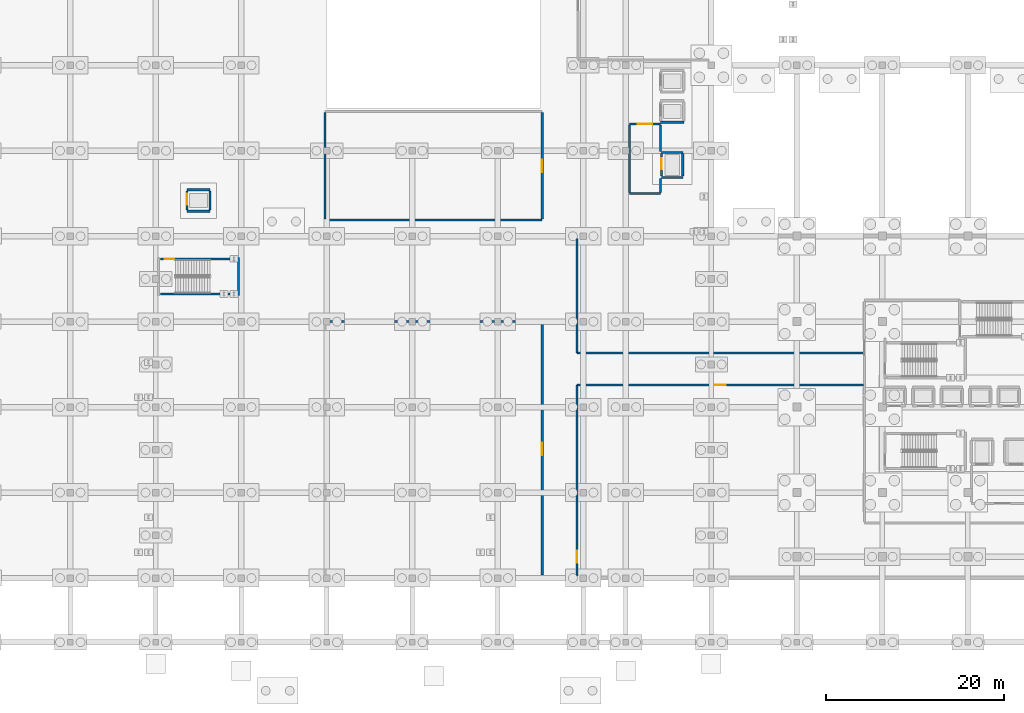
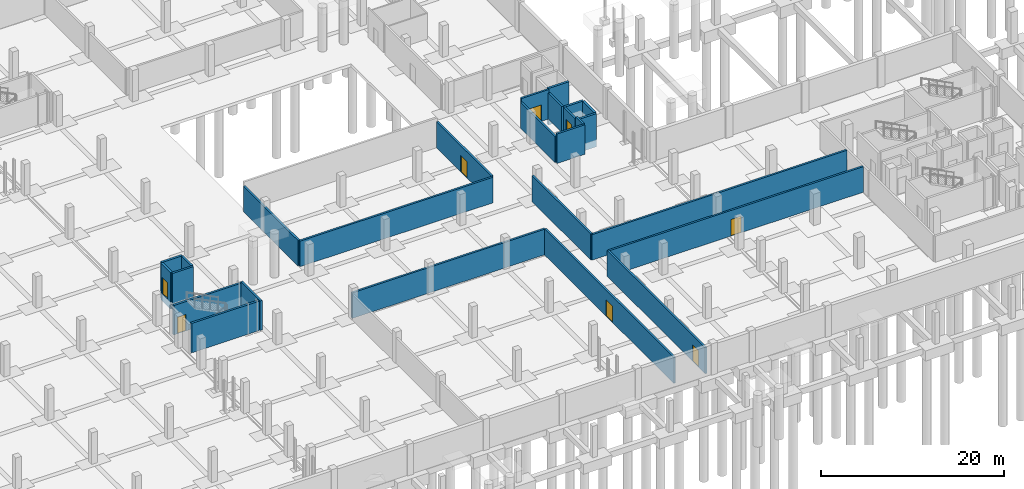
# One storey, part 38 of 54: 26 walls, 8 doors, 8 openings.
"""IFC4 building model written with IfcOpenShell, lengths in metres."""

from ifc_helpers import new_model, si_unit, direction, frame, frame_2d, origin, place, context, subcontext, project, spatial, rectangle, extrude, material, layer, layer_set, type_object, element, fill, save


model = new_model("IFC4")

# Units and contexts
model_context = context("Model", 3, precision=1e-05, world=origin(), true_north=direction((0.0, 1.0)))
body_context = subcontext(model_context, "Body", "Model", "MODEL_VIEW")
ifc_project = project(units=[si_unit("LENGTHUNIT", "METRE"), si_unit("AREAUNIT", "SQUARE_METRE"), si_unit("VOLUMEUNIT", "CUBIC_METRE"), si_unit("PLANEANGLEUNIT", "RADIAN"), si_unit("MASSUNIT", "GRAM", prefix="KILO")], contexts=[model_context])

# Site, building, storey
site_placement = place(None, origin())
site = spatial("IfcSite", under=ifc_project, at=site_placement, CompositionType="ELEMENT")
building_placement = place(site_placement, origin())
building = spatial("IfcBuilding", under=site, at=building_placement, Name="Zevrakil Square Congress Hotel", CompositionType="ELEMENT")
storey_placement = place(building_placement, frame((0.0, 0.0, -8.39990234375)))
storey = spatial("IfcBuildingStorey", under=building, at=storey_placement, Name="B2", CompositionType="ELEMENT", Elevation=-8.39990234375)

# Walls
ifc_material_1 = material(Name="Concrete C35/45", Category="concrete")
ifc_layer_1 = layer(ifc_material_1, 0.239990234375)
ifc_layer_set_1 = layer_set([ifc_layer_1], Name="Concrete C35/45")
wall_type_1 = type_object("IfcWallType", Name="WAL-COMP-240", PredefinedType="SOLIDWALL", material=ifc_layer_set_1)
wall_1_placement = place(storey_placement, frame((108.39990234375, 50.39990234375, 0.0), z_axis=(0.0, 0.0, 1.0), x_axis=(1.0, 0.0, 0.0)))
element("IfcWall", 1, at=wall_1_placement, inside=storey, type_object=wall_type_1, Name="B2 interior partition PW-B2-0011", PredefinedType="SOLIDWALL", context=body_context, shape_type="SweptSolid", body=[
    extrude(rectangle(XDim=3.5, YDim=0.239990234375, at=frame_2d((1.75, 0.0))), origin(), (0.0, 0.0, 1.0), 3.929931640625),
])
wall_2_placement = place(storey_placement, frame((108.39990234375, 50.52490234375, 0.0), z_axis=(0.0, 0.0, 1.0), x_axis=(0.0, 1.0, 0.0)))
element("IfcWall", 2, at=wall_2_placement, inside=storey, type_object=wall_type_1, Name="B2 interior partition PW-B2-0012", PredefinedType="SOLIDWALL", context=body_context, shape_type="SweptSolid", body=[
    extrude(rectangle(XDim=7.550048828125, YDim=0.239990234375, at=frame_2d((3.77490234375, 0.0))), origin(), (0.0, 0.0, 1.0), 3.474853515625),
])

# Wall, opening, door
wall_3_placement = place(storey_placement, frame((108.39990234375, 58.199951171875, 0.0), z_axis=(0.0, 0.0, 1.0), x_axis=(1.0, 0.0, 0.0)))
wall_3 = element("IfcWall", 3, at=wall_3_placement, inside=storey, type_object=wall_type_1, Name="B2 interior partition PW-B2-0013", PredefinedType="SOLIDWALL", context=body_context, shape_type="SweptSolid", body=[
    extrude(rectangle(XDim=3.5, YDim=0.239990234375, at=frame_2d((1.75, 0.0))), origin(), (0.0, 0.0, 1.0), 3.929931640625),
])
opening_1_placement = place(wall_3_placement, frame((0.949951171875, 0.0, 0.0)))
opening_1 = element("IfcOpeningElement", 4, at=opening_1_placement, cuts=wall_3, Name="Opening FD90-D", PredefinedType="OPENING", context=body_context, shape_type="SweptSolid", body=[
    extrude(rectangle(XDim=1.60009765625, YDim=2.199951171875, at=frame_2d((0.800048828125, 1.10009765625))), frame((0.0, 0.1298828125, 0.0), z_axis=(0.0, -1.0, 0.0), x_axis=(1.0, 0.0, 0.0)), (0.0, 0.0, 1.0), 0.260009765625),
])
ifc_material_2 = material(Name="Steel S355 Double Fire Door", Category="steel")
door_type_1 = type_object("IfcDoorType", Name="DOR-FFLOB-FD90-160", OperationType="NOTDEFINED", PredefinedType="DOOR", material=ifc_material_2)
door_1_placement = place(opening_1_placement, origin())
door_1 = element("IfcDoor", 5, at=door_1_placement, inside=storey, type_object=door_type_1, Name="B2 interior door 4", OperationType="DOUBLE_DOOR_SINGLE_SWING", OverallHeight=2.199951171875, OverallWidth=1.60009765625, PredefinedType="DOOR", context=body_context, shape_type="SweptSolid", body=[
    extrude(rectangle(XDim=1.60009765625, YDim=2.199951171875, at=frame_2d((0.800048828125, 1.10009765625))), frame((0.0, 0.02490234375, 0.0), z_axis=(0.0, -1.0, 0.0), x_axis=(1.0, 0.0, 0.0)), (0.0, 0.0, 1.0), 0.050048828125),
])
fill(opening_1, door_1)

# Walls
wall_4_placement = place(storey_placement, frame((111.89990234375, 50.52490234375, 0.0), z_axis=(0.0, 0.0, 1.0), x_axis=(0.0, 1.0, 0.0)))
element("IfcWall", 6, at=wall_4_placement, inside=storey, type_object=wall_type_1, Name="B2 interior partition PW-B2-0014", PredefinedType="SOLIDWALL", context=body_context, shape_type="SweptSolid", body=[
    extrude(rectangle(XDim=1.55517578125, YDim=0.239990234375, at=frame_2d((0.777587890625, 0.0))), origin(), (0.0, 0.0, 1.0), 3.929931640625),
])
wall_5_placement = place(storey_placement, frame((111.89990234375, 55.1201171875, 0.0), z_axis=(0.0, 0.0, 1.0), x_axis=(0.0, 1.0, 0.0)))
element("IfcWall", 7, at=wall_5_placement, inside=storey, type_object=wall_type_1, Name="B2 interior partition PW-B2-0015", PredefinedType="SOLIDWALL", context=body_context, shape_type="SweptSolid", body=[
    extrude(rectangle(XDim=2.954833984375, YDim=0.239990234375, at=frame_2d((1.4775390625, 0.0))), origin(), (0.0, 0.0, 1.0), 3.474853515625),
])
wall_6_placement = place(storey_placement, frame((74.199951171875, 36.0, 0.0), z_axis=(0.0, 0.0, 1.0), x_axis=(1.0, 0.0, 0.0)))
element("IfcWall", 8, at=wall_6_placement, inside=storey, type_object=wall_type_1, Name="B2 interior partition PW-B2-0085", PredefinedType="SOLIDWALL", context=body_context, shape_type="SweptSolid", body=[
    extrude(rectangle(XDim=24.400146484375, YDim=0.239990234375, at=frame_2d((12.2001953125, 0.0))), origin(), (0.0, 0.0, 1.0), 3.414794921875),
])

# Wall, opening, door
wall_7_placement = place(storey_placement, frame((98.60009765625, 7.574951171875, 0.0), z_axis=(0.0, 0.0, 1.0), x_axis=(0.0, 1.0, 0.0)))
wall_7 = element("IfcWall", 9, at=wall_7_placement, inside=storey, type_object=wall_type_1, Name="B2 interior partition PW-B2-0087", PredefinedType="SOLIDWALL", context=body_context, shape_type="SweptSolid", body=[
    extrude(rectangle(XDim=28.300048828125, YDim=0.239990234375, at=frame_2d((14.14990234375, 0.0))), origin(), (0.0, 0.0, 1.0), 3.474853515625),
])
opening_2_placement = place(wall_7_placement, frame((13.449951171875, 0.0, 0.0)))
opening_2 = element("IfcOpeningElement", 10, at=opening_2_placement, cuts=wall_7, Name="Opening ID-09", PredefinedType="OPENING", context=body_context, shape_type="SweptSolid", body=[
    extrude(rectangle(XDim=1.39990234375, YDim=2.199951171875, at=frame_2d((0.699951171875, 1.10009765625))), frame((0.0, 0.1298828125, 0.0), z_axis=(0.0, -1.0, 0.0), x_axis=(1.0, 0.0, 0.0)), (0.0, 0.0, 1.0), 0.260009765625),
])
ifc_material_3 = material(Name="Steel S355 Louvred Plant Fire Door", Category="steel")
door_type_2 = type_object("IfcDoorType", Name="DOR-PLANT-140", OperationType="NOTDEFINED", PredefinedType="DOOR", material=ifc_material_3)
door_2_placement = place(opening_2_placement, origin())
door_2 = element("IfcDoor", 11, at=door_2_placement, inside=storey, type_object=door_type_2, Name="B2 interior door 31", OperationType="SINGLE_SWING_LEFT", OverallHeight=2.199951171875, OverallWidth=1.39990234375, PredefinedType="DOOR", context=body_context, shape_type="SweptSolid", body=[
    extrude(rectangle(XDim=1.39990234375, YDim=2.199951171875, at=frame_2d((0.699951171875, 1.10009765625))), frame((0.0, 0.02490234375, 0.0), z_axis=(0.0, -1.0, 0.0), x_axis=(1.0, 0.0, 0.0)), (0.0, 0.0, 1.0), 0.050048828125),
])
fill(opening_2, door_2)

# Walls
wall_8_placement = place(storey_placement, frame((74.199951171875, 47.39990234375, 0.0), z_axis=(0.0, 0.0, 1.0), x_axis=(1.0, 0.0, 0.0)))
element("IfcWall", 12, at=wall_8_placement, inside=storey, type_object=wall_type_1, Name="B2 interior partition PW-B2-0088", PredefinedType="SOLIDWALL", context=body_context, shape_type="SweptSolid", body=[
    extrude(rectangle(XDim=24.400146484375, YDim=0.239990234375, at=frame_2d((12.2001953125, 0.0))), origin(), (0.0, 0.0, 1.0), 3.414794921875),
])
wall_9_placement = place(storey_placement, frame((74.199951171875, 47.52490234375, 0.0), z_axis=(0.0, 0.0, 1.0), x_axis=(0.0, 1.0, 0.0)))
element("IfcWall", 13, at=wall_9_placement, inside=storey, type_object=wall_type_1, Name="B2 interior partition PW-B2-0090", PredefinedType="SOLIDWALL", context=body_context, shape_type="SweptSolid", body=[
    extrude(rectangle(XDim=11.9501953125, YDim=0.239990234375, at=frame_2d((5.97509765625, 0.0))), origin(), (0.0, 0.0, 1.0), 3.414794921875),
])

# Wall, opening, door
wall_10_placement = place(storey_placement, frame((98.60009765625, 47.52490234375, 0.0), z_axis=(0.0, 0.0, 1.0), x_axis=(0.0, 1.0, 0.0)))
wall_10 = element("IfcWall", 14, at=wall_10_placement, inside=storey, type_object=wall_type_1, Name="B2 interior partition PW-B2-0091", PredefinedType="SOLIDWALL", context=body_context, shape_type="SweptSolid", body=[
    extrude(rectangle(XDim=11.9501953125, YDim=0.239990234375, at=frame_2d((5.97509765625, 0.0))), origin(), (0.0, 0.0, 1.0), 3.474853515625),
])
opening_3_placement = place(wall_10_placement, frame((5.27490234375, 0.0, 0.0)))
opening_3 = element("IfcOpeningElement", 15, at=opening_3_placement, cuts=wall_10, Name="Opening ID-09", PredefinedType="OPENING", context=body_context, shape_type="SweptSolid", body=[
    extrude(rectangle(XDim=1.39990234375, YDim=2.199951171875, at=frame_2d((0.699951171875, 1.10009765625))), frame((0.0, 0.1298828125, 0.0), z_axis=(0.0, -1.0, 0.0), x_axis=(1.0, 0.0, 0.0)), (0.0, 0.0, 1.0), 0.260009765625),
])
door_3_placement = place(opening_3_placement, origin())
door_3 = element("IfcDoor", 16, at=door_3_placement, inside=storey, type_object=door_type_2, Name="B2 interior door 32", OperationType="SINGLE_SWING_RIGHT", OverallHeight=2.199951171875, OverallWidth=1.39990234375, PredefinedType="DOOR", context=body_context, shape_type="SweptSolid", body=[
    extrude(rectangle(XDim=1.39990234375, YDim=2.199951171875, at=frame_2d((0.699951171875, 1.10009765625))), frame((0.0, 0.02490234375, 0.0), z_axis=(0.0, -1.0, 0.0), x_axis=(1.0, 0.0, 0.0)), (0.0, 0.0, 1.0), 0.050048828125),
])
fill(opening_3, door_3)

wall_11_placement = place(storey_placement, frame((102.5, 7.449951171875, 0.0), z_axis=(0.0, 0.0, 1.0), x_axis=(0.0, 1.0, 0.0)))
wall_11 = element("IfcWall", 17, at=wall_11_placement, inside=storey, type_object=wall_type_1, Name="B2 interior partition PW-B2-0097", PredefinedType="SOLIDWALL", context=body_context, shape_type="SweptSolid", body=[
    extrude(rectangle(XDim=21.449951171875, YDim=0.239990234375, at=frame_2d((10.72509765625, 0.0))), origin(), (0.0, 0.0, 1.0), 3.474853515625),
])
opening_4_placement = place(wall_11_placement, frame((1.5, 0.0, 0.0)))
opening_4 = element("IfcOpeningElement", 18, at=opening_4_placement, cuts=wall_11, Name="Opening ID-08", PredefinedType="OPENING", context=body_context, shape_type="SweptSolid", body=[
    extrude(rectangle(XDim=1.300048828125, YDim=2.199951171875, at=frame_2d((0.64990234375, 1.10009765625))), frame((0.0, 0.1298828125, 0.0), z_axis=(0.0, -1.0, 0.0), x_axis=(1.0, 0.0, 0.0)), (0.0, 0.0, 1.0), 0.260009765625),
])
ifc_material_4 = material(Name="Service Corridor Leaf-and-Half Door")
door_type_3 = type_object("IfcDoorType", Name="DOR-BOH-130", OperationType="NOTDEFINED", PredefinedType="DOOR", material=ifc_material_4)
door_4_placement = place(opening_4_placement, origin())
door_4 = element("IfcDoor", 19, at=door_4_placement, inside=storey, type_object=door_type_3, Name="B2 interior door 35", OperationType="SINGLE_SWING_LEFT", OverallHeight=2.199951171875, OverallWidth=1.300048828125, PredefinedType="DOOR", context=body_context, shape_type="SweptSolid", body=[
    extrude(rectangle(XDim=1.300048828125, YDim=2.199951171875, at=frame_2d((0.64990234375, 1.10009765625))), frame((0.0, 0.02490234375, 0.0), z_axis=(0.0, -1.0, 0.0), x_axis=(1.0, 0.0, 0.0)), (0.0, 0.0, 1.0), 0.050048828125),
])
fill(opening_4, door_4)

# Wall
wall_12_placement = place(storey_placement, frame((102.5, 32.5, 0.0), z_axis=(0.0, 0.0, 1.0), x_axis=(0.0, 1.0, 0.0)))
element("IfcWall", 20, at=wall_12_placement, inside=storey, type_object=wall_type_1, Name="B2 interior partition PW-B2-0098", PredefinedType="SOLIDWALL", context=body_context, shape_type="SweptSolid", body=[
    extrude(rectangle(XDim=12.85009765625, YDim=0.239990234375, at=frame_2d((6.425048828125, 0.0))), origin(), (0.0, 0.0, 1.0), 3.474853515625),
])

# Wall, opening, door
wall_13_placement = place(storey_placement, frame((102.5, 28.89990234375, 0.0), z_axis=(0.0, 0.0, 1.0), x_axis=(1.0, 0.0, 0.0)))
wall_13 = element("IfcWall", 21, at=wall_13_placement, inside=storey, type_object=wall_type_1, Name="B2 interior partition PW-B2-0099", PredefinedType="SOLIDWALL", context=body_context, shape_type="SweptSolid", body=[
    extrude(rectangle(XDim=32.175048828125, YDim=0.239990234375, at=frame_2d((16.08740234375, 0.0))), origin(), (0.0, 0.0, 1.0), 3.414794921875),
])
opening_5_placement = place(wall_13_placement, frame((15.4375, 0.0, 0.0)))
opening_5 = element("IfcOpeningElement", 22, at=opening_5_placement, cuts=wall_13, Name="Opening ID-08", PredefinedType="OPENING", context=body_context, shape_type="SweptSolid", body=[
    extrude(rectangle(XDim=1.300048828125, YDim=2.199951171875, at=frame_2d((0.64990234375, 1.10009765625))), frame((0.0, 0.1298828125, 0.0), z_axis=(0.0, -1.0, 0.0), x_axis=(1.0, 0.0, 0.0)), (0.0, 0.0, 1.0), 0.260009765625),
])
door_5_placement = place(opening_5_placement, origin())
door_5 = element("IfcDoor", 23, at=door_5_placement, inside=storey, type_object=door_type_3, Name="B2 interior door 36", OperationType="SINGLE_SWING_RIGHT", OverallHeight=2.199951171875, OverallWidth=1.300048828125, PredefinedType="DOOR", context=body_context, shape_type="SweptSolid", body=[
    extrude(rectangle(XDim=1.300048828125, YDim=2.199951171875, at=frame_2d((0.64990234375, 1.10009765625))), frame((0.0, 0.02490234375, 0.0), z_axis=(0.0, -1.0, 0.0), x_axis=(1.0, 0.0, 0.0)), (0.0, 0.0, 1.0), 0.050048828125),
])
fill(opening_5, door_5)

# Walls
wall_14_placement = place(storey_placement, frame((102.5, 32.5, 0.0), z_axis=(0.0, 0.0, 1.0), x_axis=(1.0, 0.0, 0.0)))
element("IfcWall", 24, at=wall_14_placement, inside=storey, type_object=wall_type_1, Name="B2 interior partition PW-B2-0100", PredefinedType="SOLIDWALL", context=body_context, shape_type="SweptSolid", body=[
    extrude(rectangle(XDim=32.175048828125, YDim=0.239990234375, at=frame_2d((16.08740234375, 0.0))), origin(), (0.0, 0.0, 1.0), 3.414794921875),
])
ifc_material_5 = material(Name="Concrete C40/50", Category="concrete")
ifc_layer_2 = layer(ifc_material_5, 0.260009765625)
ifc_layer_set_2 = layer_set([ifc_layer_2], Name="Concrete C40/50")
wall_type_2 = type_object("IfcWallType", Name="WAL-SHAFT-260", PredefinedType="SHEAR", material=ifc_layer_set_2)
wall_15_placement = place(storey_placement, frame((64.4951171875, 38.93994140625, 0.0), z_axis=(0.0, 0.0, 1.0), x_axis=(0.0, 1.0, 0.0)))
element("IfcWall", 25, at=wall_15_placement, inside=storey, type_object=wall_type_2, Name="B2 ST04 stair shaft E wall", PredefinedType="SHEAR", context=body_context, shape_type="SweptSolid", body=[
    extrude(rectangle(XDim=4.27001953125, YDim=0.260009765625, at=frame_2d((2.135009765625, 0.0))), origin(), (0.0, 0.0, 1.0), 3.929931640625),
])
wall_16_placement = place(storey_placement, frame((55.739990234375, 39.10498046875, 0.0), z_axis=(0.0, 0.0, 1.0), x_axis=(1.0, 0.0, 0.0)))
element("IfcWall", 26, at=wall_16_placement, inside=storey, type_object=wall_type_2, Name="B2 ST04 stair shaft S wall", PredefinedType="SHEAR", context=body_context, shape_type="SweptSolid", body=[
    extrude(rectangle(XDim=8.52001953125, YDim=0.260009765625, at=frame_2d((4.260009765625, 0.0))), origin(), (0.0, 0.0, 1.0), 3.929931640625),
])

# Wall, opening, door
wall_17_placement = place(storey_placement, frame((55.739990234375, 43.044921875, 0.0), z_axis=(0.0, 0.0, 1.0), x_axis=(1.0, 0.0, 0.0)))
wall_17 = element("IfcWall", 27, at=wall_17_placement, inside=storey, type_object=wall_type_2, Name="B2 ST04 stair shaft N wall", PredefinedType="SHEAR", context=body_context, shape_type="SweptSolid", body=[
    extrude(rectangle(XDim=8.52001953125, YDim=0.260009765625, at=frame_2d((4.260009765625, 0.0))), origin(), (0.0, 0.0, 1.0), 3.929931640625),
])
opening_6_placement = place(wall_17_placement, frame((0.449951171875, 0.0, 0.0)))
opening_6 = element("IfcOpeningElement", 28, at=opening_6_placement, cuts=wall_17, Name="Opening SD-ST04", PredefinedType="OPENING", context=body_context, shape_type="SweptSolid", body=[
    extrude(rectangle(XDim=1.10009765625, YDim=2.199951171875, at=frame_2d((0.550048828125, 1.10009765625))), frame((0.0, 0.14013671875, 0.0), z_axis=(0.0, -1.0, 0.0), x_axis=(1.0, 0.0, 0.0)), (0.0, 0.0, 1.0), 0.280029296875),
])
ifc_material_6 = material(Name="Steel S355 Fire-Rated Door", Category="steel")
door_type_4 = type_object("IfcDoorType", Name="DOR-STAIR-FD90-110", OperationType="NOTDEFINED", PredefinedType="DOOR", material=ifc_material_6)
door_6_placement = place(opening_6_placement, origin())
door_6 = element("IfcDoor", 29, at=door_6_placement, inside=storey, type_object=door_type_4, Name="B2 ST04 protected stair fire door", OperationType="SINGLE_SWING_RIGHT", OverallHeight=2.199951171875, OverallWidth=1.10009765625, PredefinedType="DOOR", context=body_context, shape_type="SweptSolid", body=[
    extrude(rectangle(XDim=1.10009765625, YDim=2.199951171875, at=frame_2d((0.550048828125, 1.10009765625))), frame((0.0, 0.02490234375, 0.0), z_axis=(0.0, -1.0, 0.0), x_axis=(1.0, 0.0, 0.0)), (0.0, 0.0, 1.0), 0.050048828125),
])
fill(opening_6, door_6)

# Walls
for number, where, z_axis, x_axis, name in (
    (30, (112.0, 52.199951171875, -0.9501953125), (0.0, 0.0, 1.0), (1.0, 0.0, 0.0), "B2 FFL2 lift shaft wall"),
    (31, (112.0, 55.0, -0.9501953125), (0.0, 0.0, 1.0), (1.0, 0.0, 0.0), "B2 FFL2 lift shaft wall"),
):
    element("IfcWall", number, at=place(storey_placement, frame(where, z_axis=z_axis, x_axis=x_axis)), inside=storey, type_object=wall_type_2, Name=name, PredefinedType="SHEAR", context=body_context, shape_type="SweptSolid", body=[
        extrude(rectangle(XDim=2.39990234375, YDim=0.260009765625, at=frame_2d((1.199951171875, 0.0))), origin(), (0.0, 0.0, 1.0), 4.425048828125),
    ])

# Wall, opening, door
wall_18_placement = place(storey_placement, frame((112.0, 52.340087890625, -0.9501953125), z_axis=(0.0, 0.0, 1.0), x_axis=(0.0, 1.0, 0.0)))
wall_18 = element("IfcWall", 32, at=wall_18_placement, inside=storey, type_object=wall_type_2, Name="B2 FFL2 lift shaft wall", PredefinedType="SHEAR", context=body_context, shape_type="SweptSolid", body=[
    extrude(rectangle(XDim=2.52001953125, YDim=0.260009765625, at=frame_2d((1.260009765625, 0.0))), origin(), (0.0, 0.0, 1.0), 4.425048828125),
])
opening_7_placement = place(wall_18_placement, frame((0.800048828125, 0.0, 0.949951171875)))
opening_7 = element("IfcOpeningElement", 33, at=opening_7_placement, cuts=wall_18, Name="Opening LD-FFL2", PredefinedType="OPENING", context=body_context, shape_type="SweptSolid", body=[
    extrude(rectangle(XDim=1.199951171875, YDim=2.199951171875, at=frame_2d((0.60009765625, 1.10009765625))), frame((0.0, 0.14013671875, 0.0), z_axis=(0.0, -1.0, 0.0), x_axis=(1.0, 0.0, 0.0)), (0.0, 0.0, 1.0), 0.280029296875),
])
ifc_material_7 = material(Name="Stainless Steel Sliding Lift Landing Door", Category="steel")
door_type_5 = type_object("IfcDoorType", Name="DOR-LIFT-LD120", OperationType="NOTDEFINED", PredefinedType="DOOR", material=ifc_material_7)
door_7_placement = place(opening_7_placement, origin())
door_7 = element("IfcDoor", 34, at=door_7_placement, inside=storey, type_object=door_type_5, Name="B2 FFL2 sliding lift landing door", OperationType="SLIDING_TO_LEFT", OverallHeight=2.199951171875, OverallWidth=1.199951171875, PredefinedType="DOOR", context=body_context, shape_type="SweptSolid", body=[
    extrude(rectangle(XDim=1.199951171875, YDim=2.199951171875, at=frame_2d((0.60009765625, 1.10009765625))), frame((0.0, 0.02490234375, 0.0), z_axis=(0.0, -1.0, 0.0), x_axis=(1.0, 0.0, 0.0)), (0.0, 0.0, 1.0), 0.050048828125),
])
fill(opening_7, door_7)

# Walls
wall_19_placement = place(storey_placement, frame((114.39990234375, 52.340087890625, -0.9501953125), z_axis=(0.0, 0.0, 1.0), x_axis=(0.0, 1.0, 0.0)))
element("IfcWall", 35, at=wall_19_placement, inside=storey, type_object=wall_type_2, Name="B2 FFL2 lift shaft wall", PredefinedType="SHEAR", context=body_context, shape_type="SweptSolid", body=[
    extrude(rectangle(XDim=2.52001953125, YDim=0.260009765625, at=frame_2d((1.260009765625, 0.0))), origin(), (0.0, 0.0, 1.0), 4.425048828125),
])
for number, where, z_axis, x_axis, name in (
    (36, (111.89990234375, 58.39990234375, -0.9501953125), (0.0, 0.0, 1.0), (1.0, 0.0, 0.0), "B2 CL1 lift shaft wall"),
    (37, (58.699951171875, 48.39990234375, -0.9501953125), (0.0, 0.0, 1.0), (1.0, 0.0, 0.0), "B2 CL3 lift shaft wall"),
    (38, (58.699951171875, 50.800048828125, -0.9501953125), (0.0, 0.0, 1.0), (1.0, 0.0, 0.0), "B2 CL3 lift shaft wall"),
):
    element("IfcWall", number, at=place(storey_placement, frame(where, z_axis=z_axis, x_axis=x_axis)), inside=storey, type_object=wall_type_2, Name=name, PredefinedType="SHEAR", context=body_context, shape_type="SweptSolid", body=[
        extrude(rectangle(XDim=2.60009765625, YDim=0.260009765625, at=frame_2d((1.300048828125, 0.0))), origin(), (0.0, 0.0, 1.0), 4.880126953125),
    ])

# Wall, opening, door
wall_20_placement = place(storey_placement, frame((58.699951171875, 48.5400390625, -0.9501953125), z_axis=(0.0, 0.0, 1.0), x_axis=(0.0, 1.0, 0.0)))
wall_20 = element("IfcWall", 39, at=wall_20_placement, inside=storey, type_object=wall_type_2, Name="B2 CL3 lift shaft wall", PredefinedType="SHEAR", context=body_context, shape_type="SweptSolid", body=[
    extrude(rectangle(XDim=2.119873046875, YDim=0.260009765625, at=frame_2d((1.06005859375, 0.0))), origin(), (0.0, 0.0, 1.0), 4.880126953125),
])
opening_8_placement = place(wall_20_placement, frame((0.60009765625, 0.0, 0.949951171875)))
opening_8 = element("IfcOpeningElement", 40, at=opening_8_placement, cuts=wall_20, Name="Opening LD-CL3", PredefinedType="OPENING", context=body_context, shape_type="SweptSolid", body=[
    extrude(rectangle(XDim=1.199951171875, YDim=2.199951171875, at=frame_2d((0.60009765625, 1.10009765625))), frame((0.0, 0.14013671875, 0.0), z_axis=(0.0, -1.0, 0.0), x_axis=(1.0, 0.0, 0.0)), (0.0, 0.0, 1.0), 0.280029296875),
])
door_8_placement = place(opening_8_placement, origin())
door_8 = element("IfcDoor", 41, at=door_8_placement, inside=storey, type_object=door_type_5, Name="B2 CL3 sliding lift landing door", OperationType="SLIDING_TO_RIGHT", OverallHeight=2.199951171875, OverallWidth=1.199951171875, PredefinedType="DOOR", context=body_context, shape_type="SweptSolid", body=[
    extrude(rectangle(XDim=1.199951171875, YDim=2.199951171875, at=frame_2d((0.60009765625, 1.10009765625))), frame((0.0, 0.02490234375, 0.0), z_axis=(0.0, -1.0, 0.0), x_axis=(1.0, 0.0, 0.0)), (0.0, 0.0, 1.0), 0.050048828125),
])
fill(opening_8, door_8)

# Wall
wall_21_placement = place(storey_placement, frame((61.300048828125, 48.5400390625, -0.9501953125), z_axis=(0.0, 0.0, 1.0), x_axis=(0.0, 1.0, 0.0)))
element("IfcWall", 42, at=wall_21_placement, inside=storey, type_object=wall_type_2, Name="B2 CL3 lift shaft wall", PredefinedType="SHEAR", context=body_context, shape_type="SweptSolid", body=[
    extrude(rectangle(XDim=2.119873046875, YDim=0.260009765625, at=frame_2d((1.06005859375, 0.0))), origin(), (0.0, 0.0, 1.0), 4.880126953125),
])

save(model, "model.ifc")
